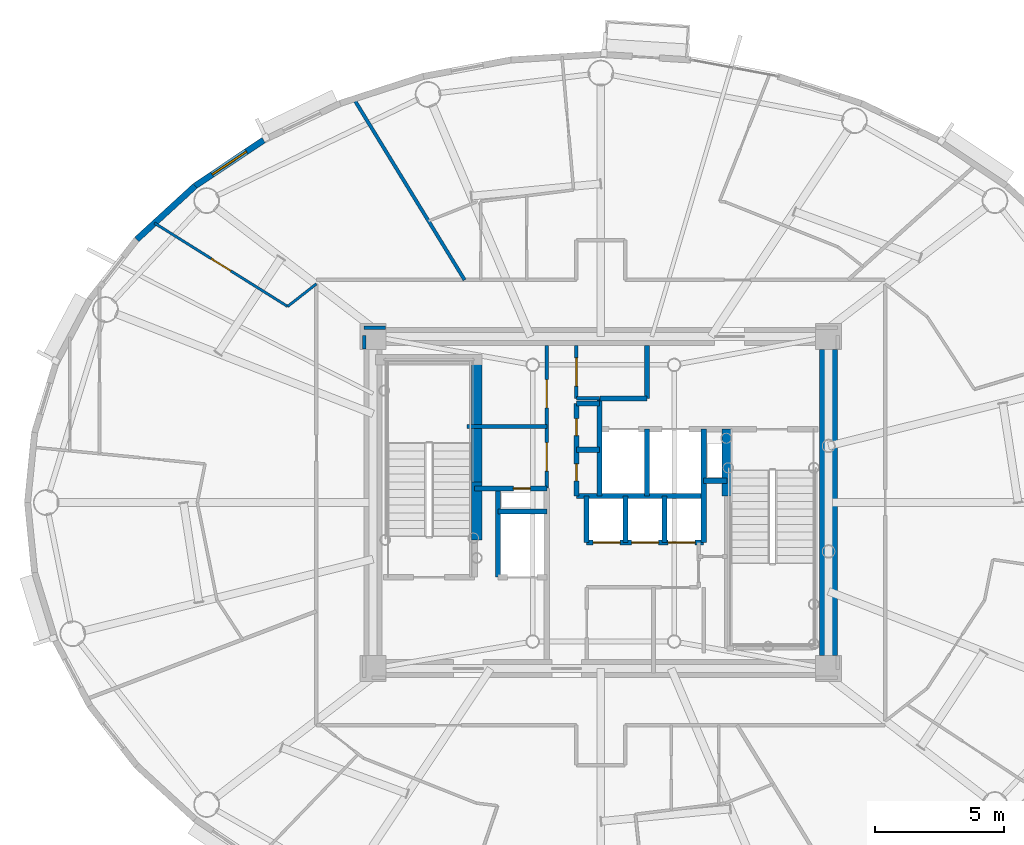
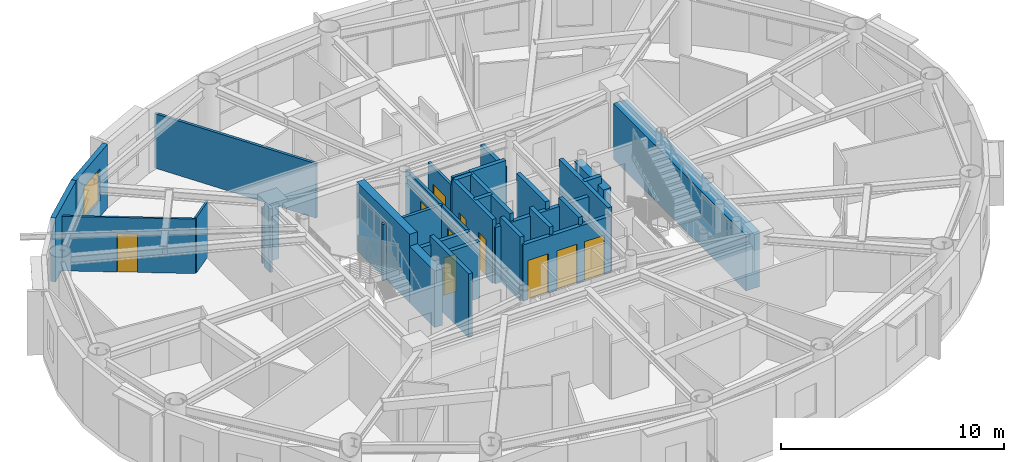
# One storey, part 9 of 20: 32 walls, 10 doors, 1 window, 11 openings.
"""IFC4 building model written with IfcOpenShell, lengths in metres."""

from ifc_helpers import new_model, si_unit, direction, frame, frame_2d, origin, origin_2d, place, context, subcontext, project, spatial, rectangle, extrude, source, transform, mapped, material, layer, layer_set, type_object, element, fill, save


model = new_model("IFC4")

# Units and contexts
model_context = context("Model", 3, precision=1e-05, world=origin(), true_north=direction((0.0, 1.0)))
body_context = subcontext(model_context, "Body", "Model", "MODEL_VIEW")
ifc_project = project(units=[si_unit("LENGTHUNIT", "METRE"), si_unit("AREAUNIT", "SQUARE_METRE"), si_unit("VOLUMEUNIT", "CUBIC_METRE"), si_unit("PLANEANGLEUNIT", "RADIAN"), si_unit("MASSUNIT", "GRAM", prefix="KILO")], contexts=[model_context])

# Site, building, storey
site_placement = place(None, origin())
site = spatial("IfcSite", under=ifc_project, at=site_placement, CompositionType="ELEMENT")
building_placement = place(site_placement, origin())
building = spatial("IfcBuilding", under=site, at=building_placement, Name="Linh Dai School and Residence Tower", CompositionType="ELEMENT")
storey_placement = place(building_placement, frame((0.0, 0.0, 288.0)))
storey = spatial("IfcBuildingStorey", under=building, at=storey_placement, Name="L71", CompositionType="ELEMENT", Elevation=288.0)

# Wall, opening, window
ifc_material_1 = material(Name="Precast Concrete B45 (C35/45)", Category="concrete")
ifc_layer_1 = layer(ifc_material_1, 0.239990234375)
ifc_layer_set_1 = layer_set([ifc_layer_1], Name="Precast Concrete B45 (C35/45)")
wall_type_1 = type_object("IfcWallType", Name="EW-TC-240", PredefinedType="SOLIDWALL", material=ifc_layer_set_1)
wall_1_placement = place(storey_placement, frame((20.23779296875, 39.30419921875, 0.0), z_axis=(0.0, 0.0, 1.0), x_axis=(0.831250592635, 0.55589787933, 0.0)))
wall_1 = element("IfcWall", 1, at=wall_1_placement, inside=storey, type_object=wall_type_1, Name="L71 Terracotta Exterior Wall 15", PredefinedType="SOLIDWALL", context=body_context, shape_type="SweptSolid", body=[
    extrude(rectangle(XDim=3.197265625, YDim=0.239990234375, at=frame_2d((1.5986328125, 0.0))), origin(), (0.0, 0.0, 1.0), 3.5),
])
opening_1_placement = place(wall_1_placement, frame((0.798583984375, 0.0, 0.89990234375)))
opening_1 = element("IfcOpeningElement", 2, at=opening_1_placement, cuts=wall_1, Name="Opening W2", PredefinedType="OPENING", context=body_context, shape_type="SweptSolid", body=[
    extrude(rectangle(XDim=1.60009765625, YDim=1.75, at=origin_2d()), frame((0.800048828125, 0.1298828125, 0.875), z_axis=(0.0, -1.0, 0.0), x_axis=(1.0, 0.0, 0.0)), (0.0, 0.0, 1.0), 0.260009765625),
])
ifc_material_2 = material(Name="Double Low-E Insulated Glazing", Category="glass")
window_type = type_object("IfcWindowType", Name="WN-RES-1600x1750", PartitioningType="DOUBLE_PANEL_VERTICAL", PredefinedType="WINDOW", material=ifc_material_2)
shared_shape_1 = source(origin(), body_context, "Body", "SweptSolid", [
    extrude(rectangle(XDim=1.60009765625, YDim=1.75, at=origin_2d()), frame((0.800048828125, 0.030029296875, 0.875), z_axis=(0.0, -1.0, 0.0), x_axis=(1.0, 0.0, 0.0)), (0.0, 0.0, 1.0), 0.06005859375),
])
window_placement = place(opening_1_placement, origin())
window = element("IfcWindow", 3, at=window_placement, inside=storey, type_object=window_type, Name="L71 Exterior Window 15.1", OverallHeight=1.75, OverallWidth=1.60009765625, PartitioningType="DOUBLE_PANEL_VERTICAL", PredefinedType="WINDOW", context=body_context, shape_type="MappedRepresentation", body=[
    mapped(shared_shape_1, transform((0.0, 0.0, 0.0), x_axis=(1.0, 0.0, 0.0), y_axis=(0.0, 1.0, 0.0), z_axis=(0.0, 0.0, 1.0), scale=1.0)),
])
fill(opening_1, window)

# Walls
wall_2_placement = place(storey_placement, frame((17.9697265625, 37.224609375, 0.0), z_axis=(0.0, 0.0, 1.0), x_axis=(0.737068506972, 0.675818034703, 0.0)))
element("IfcWall", 4, at=wall_2_placement, inside=storey, type_object=wall_type_1, Name="L71 Terracotta Exterior Wall 16", PredefinedType="SOLIDWALL", context=body_context, shape_type="SweptSolid", body=[
    extrude(rectangle(XDim=3.0771484375, YDim=0.239990234375, at=frame_2d((1.53857421875, 0.0))), origin(), (0.0, 0.0, 1.0), 3.5),
])
ifc_material_3 = material(Name="Autoclaved Aerated Concrete Blockwork", Category="masonry")
ifc_layer_2 = layer(ifc_material_3, 0.135009765625)
ifc_layer_set_2 = layer_set([ifc_layer_2], Name="Autoclaved Aerated Concrete Blockwork")
wall_type_2 = type_object("IfcWallType", Name="IW-CORR-135-EI90", PredefinedType="PARTITIONING", material=ifc_layer_set_2)
wall_3_placement = place(storey_placement, frame((26.40185546875, 42.687744140625, 0.0), z_axis=(0.0, 0.0, 1.0), x_axis=(0.521891606098, -0.853011812043, 0.0)))
element("IfcWall", 5, at=wall_3_placement, inside=storey, type_object=wall_type_2, Name="L71 Interior Partition Wall 015", PredefinedType="PARTITIONING", context=body_context, shape_type="SweptSolid", body=[
    extrude(rectangle(XDim=8.25048828125, YDim=0.135009765625, at=frame_2d((4.125244140625, 0.0))), origin(), (0.0, 0.0, 1.0), 2.985107421875),
])

# Wall, openings, doors
wall_4_placement = place(storey_placement, frame((33.89990234375, 27.56005859375, 0.0), z_axis=(0.0, 0.0, 1.0), x_axis=(0.0, 1.0, 0.0)))
wall_4 = element("IfcWall", 6, at=wall_4_placement, inside=storey, type_object=wall_type_2, Name="L71 Interior Partition Wall 031", PredefinedType="PARTITIONING", context=body_context, shape_type="SweptSolid", body=[
    extrude(rectangle(XDim=5.5400390625, YDim=0.135009765625, at=frame_2d((2.77001953125, 0.0))), origin(), (0.0, 0.0, 1.0), 3.0849609375),
])
opening_2_placement = place(wall_4_placement, frame((0.6650390625, 0.0, 0.0)))
opening_2 = element("IfcOpeningElement", 7, at=opening_2_placement, cuts=wall_4, Name="Opening D07", PredefinedType="OPENING", context=body_context, shape_type="SweptSolid", body=[
    extrude(rectangle(XDim=1.10009765625, YDim=2.14990234375, at=origin_2d()), frame((0.550048828125, 0.07763671875, 1.074951171875), z_axis=(0.0, -1.0, 0.0), x_axis=(1.0, 0.0, 0.0)), (0.0, 0.0, 1.0), 0.155029296875),
])
opening_3_placement = place(wall_4_placement, frame((3.117431640625, 0.0, 0.0)))
opening_3 = element("IfcOpeningElement", 8, at=opening_3_placement, cuts=wall_4, Name="Opening D07", PredefinedType="OPENING", context=body_context, shape_type="SweptSolid", body=[
    extrude(rectangle(XDim=1.10009765625, YDim=2.14990234375, at=origin_2d()), frame((0.550048828125, 0.07763671875, 1.074951171875), z_axis=(0.0, -1.0, 0.0), x_axis=(1.0, 0.0, 0.0)), (0.0, 0.0, 1.0), 0.155029296875),
])
ifc_material_4 = material(Name="Fire-Rated Louvred Steel Plant Door", Category="steel")
door_type_1 = type_object("IfcDoorType", Name="DR-PLT-1100x2150-FD60S", OperationType="NOTDEFINED", PredefinedType="DOOR", material=ifc_material_4)
shared_shape_2 = source(origin(), body_context, "Body", "SweptSolid", [
    extrude(rectangle(XDim=1.10009765625, YDim=2.14990234375, at=origin_2d()), frame((0.550048828125, 0.02490234375, 1.074951171875), z_axis=(0.0, -1.0, 0.0), x_axis=(1.0, 0.0, 0.0)), (0.0, 0.0, 1.0), 0.050048828125),
])
door_1_placement = place(opening_2_placement, origin())
door_1 = element("IfcDoor", 9, at=door_1_placement, inside=storey, type_object=door_type_1, Name="L71 BMS and Data Room Door", OperationType="SINGLE_SWING_LEFT", OverallHeight=2.14990234375, OverallWidth=1.10009765625, PredefinedType="DOOR", context=body_context, shape_type="MappedRepresentation", body=[
    mapped(shared_shape_2, transform((0.0, 0.0, 0.0), x_axis=(1.0, 0.0, 0.0), y_axis=(0.0, 1.0, 0.0), z_axis=(0.0, 0.0, 1.0), scale=1.0)),
])
fill(opening_2, door_1)
door_2_placement = place(opening_3_placement, origin())
door_2 = element("IfcDoor", 10, at=door_2_placement, inside=storey, type_object=door_type_1, Name="L71 Housekeeping Linen Room Door", OperationType="SINGLE_SWING_RIGHT", OverallHeight=2.14990234375, OverallWidth=1.10009765625, PredefinedType="DOOR", context=body_context, shape_type="MappedRepresentation", body=[
    mapped(shared_shape_2, transform((0.0, 0.0, 0.0), x_axis=(1.0, 0.0, 0.0), y_axis=(0.0, 1.0, 0.0), z_axis=(0.0, 0.0, 1.0), scale=1.0)),
])
fill(opening_3, door_2)

# Wall, opening, door
wall_5_placement = place(storey_placement, frame((35.050048828125, 31.050048828125, 0.0), z_axis=(0.0, 0.0, 1.0), x_axis=(0.0, 1.0, 0.0)))
wall_5 = element("IfcWall", 11, at=wall_5_placement, inside=storey, type_object=wall_type_2, Name="L71 Interior Partition Wall 039", PredefinedType="PARTITIONING", context=body_context, shape_type="SweptSolid", body=[
    extrude(rectangle(XDim=2.050048828125, YDim=0.135009765625, at=frame_2d((1.02490234375, 0.0))), origin(), (0.0, 0.0, 1.0), 3.0849609375),
])
opening_4_placement = place(wall_5_placement, frame((0.47509765625, 0.0, 0.0)))
opening_4 = element("IfcOpeningElement", 12, at=opening_4_placement, cuts=wall_5, Name="Opening D07", PredefinedType="OPENING", context=body_context, shape_type="SweptSolid", body=[
    extrude(rectangle(XDim=1.10009765625, YDim=2.14990234375, at=origin_2d()), frame((0.550048828125, 0.07763671875, 1.074951171875), z_axis=(0.0, -1.0, 0.0), x_axis=(1.0, 0.0, 0.0)), (0.0, 0.0, 1.0), 0.155029296875),
])
door_3_placement = place(opening_4_placement, origin())
door_3 = element("IfcDoor", 13, at=door_3_placement, inside=storey, type_object=door_type_1, Name="L71 North Telecom Switchroom Door", OperationType="SINGLE_SWING_LEFT", OverallHeight=2.14990234375, OverallWidth=1.10009765625, PredefinedType="DOOR", context=body_context, shape_type="MappedRepresentation", body=[
    mapped(shared_shape_2, transform((0.0, 0.0, 0.0), x_axis=(1.0, 0.0, 0.0), y_axis=(0.0, 1.0, 0.0), z_axis=(0.0, 0.0, 1.0), scale=1.0)),
])
fill(opening_4, door_3)

# Walls
wall_6_placement = place(storey_placement, frame((35.050048828125, 31.050048828125, 0.0), z_axis=(0.0, 0.0, 1.0), x_axis=(1.0, 0.0, 0.0)))
element("IfcWall", 14, at=wall_6_placement, inside=storey, type_object=wall_type_2, Name="L71 Interior Partition Wall 040", PredefinedType="PARTITIONING", context=body_context, shape_type="SweptSolid", body=[
    extrude(rectangle(XDim=0.89990234375, YDim=0.135009765625, at=frame_2d((0.449951171875, 0.0))), origin(), (0.0, 0.0, 1.0), 3.5),
])
wall_7_placement = place(storey_placement, frame((27.639892578125, 33.800048828125, 0.0), z_axis=(0.0, 0.0, 1.0), x_axis=(-1.0, 0.0, 0.0)))
element("IfcWall", 15, at=wall_7_placement, inside=storey, type_object=wall_type_2, Name="L71 Interior Partition Wall 090", PredefinedType="PARTITIONING", context=body_context, shape_type="SweptSolid", body=[
    extrude(rectangle(XDim=0.83984375, YDim=0.135009765625, at=frame_2d((0.419921875, 0.0))), origin(), (0.0, 0.0, 1.0), 3.034912109375),
])
wall_8_placement = place(storey_placement, frame((26.800048828125, 33.492431640625, 0.0), z_axis=(0.0, 0.0, 1.0), x_axis=(0.0, -1.0, 0.0)))
element("IfcWall", 16, at=wall_8_placement, inside=storey, type_object=wall_type_2, Name="L71 Interior Partition Wall 091", PredefinedType="PARTITIONING", context=body_context, shape_type="SweptSolid", body=[
    extrude(rectangle(XDim=0.532470703125, YDim=0.135009765625, at=frame_2d((0.26611328125, 0.0))), origin(), (0.0, 0.0, 1.0), 3.5),
])
ifc_layer_3 = layer(ifc_material_3, 0.14990234375)
ifc_layer_set_3 = layer_set([ifc_layer_3], Name="Autoclaved Aerated Concrete Blockwork")
wall_type_3 = type_object("IfcWallType", Name="IW-SCH-150-EI60", PredefinedType="PARTITIONING", material=ifc_layer_set_3)
wall_9_placement = place(storey_placement, frame((30.800048828125, 29.949951171875, 0.0), z_axis=(0.0, 0.0, 1.0), x_axis=(1.0, 0.0, 0.0)))
element("IfcWall", 17, at=wall_9_placement, inside=storey, type_object=wall_type_3, Name="L71 Interior Partition Wall 020", PredefinedType="PARTITIONING", context=body_context, shape_type="SweptSolid", body=[
    extrude(rectangle(XDim=3.099853515625, YDim=0.14990234375, at=frame_2d((1.5498046875, 0.0))), origin(), (0.0, 0.0, 1.0), 3.0849609375),
])

# Wall, opening, door
ifc_material_5 = material(Name="Concrete B45 (C35/45)", Category="concrete")
ifc_layer_4 = layer(ifc_material_5, 0.199951171875)
ifc_layer_set_4 = layer_set([ifc_layer_4], Name="Concrete B45 (C35/45)")
wall_type_4 = type_object("IfcWallType", Name="IW-SHAFT-200-EI120", PredefinedType="PARTITIONING", material=ifc_layer_set_4)
wall_10_placement = place(storey_placement, frame((31.10009765625, 27.550048828125, 0.0), z_axis=(0.0, 0.0, 1.0), x_axis=(1.0, 0.0, 0.0)))
wall_10 = element("IfcWall", 18, at=wall_10_placement, inside=storey, type_object=wall_type_4, Name="L71 Interior Partition Wall 022", PredefinedType="PARTITIONING", context=body_context, shape_type="SweptSolid", body=[
    extrude(rectangle(XDim=2.7998046875, YDim=0.199951171875, at=frame_2d((1.39990234375, 0.0))), origin(), (0.0, 0.0, 1.0), 3.0849609375),
])
opening_5_placement = place(wall_10_placement, frame((1.5, 0.0, 0.0)))
opening_5 = element("IfcOpeningElement", 19, at=opening_5_placement, cuts=wall_10, Name="Opening AD1", PredefinedType="OPENING", context=body_context, shape_type="SweptSolid", body=[
    extrude(rectangle(XDim=0.659912109375, YDim=2.050048828125, at=origin_2d()), frame((0.330078125, 0.10986328125, 1.02490234375), z_axis=(0.0, -1.0, 0.0), x_axis=(1.0, 0.0, 0.0)), (0.0, 0.0, 1.0), 0.219970703125),
])
ifc_material_6 = material(Name="Fire-Rated Steel Riser Access Door", Category="steel")
door_type_2 = type_object("IfcDoorType", Name="DR-ACC-660x2050-FD90S", OperationType="NOTDEFINED", PredefinedType="USERDEFINED", material=ifc_material_6)
shared_shape_3 = source(origin(), body_context, "Body", "SweptSolid", [
    extrude(rectangle(XDim=0.659912109375, YDim=2.050048828125, at=origin_2d()), frame((0.330078125, 0.02490234375, 1.02490234375), z_axis=(0.0, -1.0, 0.0), x_axis=(1.0, 0.0, 0.0)), (0.0, 0.0, 1.0), 0.050048828125),
])
door_4_placement = place(opening_5_placement, origin())
door_4 = element("IfcDoor", 20, at=door_4_placement, inside=storey, type_object=door_type_2, Name="L71 Main Electrical Riser Access Door", ObjectType="ACCESS DOOR", OperationType="SINGLE_SWING_RIGHT", OverallHeight=2.050048828125, OverallWidth=0.659912109375, PredefinedType="USERDEFINED", context=body_context, shape_type="MappedRepresentation", body=[
    mapped(shared_shape_3, transform((0.0, 0.0, 0.0), x_axis=(1.0, 0.0, 0.0), y_axis=(0.0, 1.0, 0.0), z_axis=(0.0, 0.0, 1.0), scale=1.0)),
])
fill(opening_5, door_4)

# Walls
wall_11_placement = place(storey_placement, frame((32.0, 24.10009765625, 0.0), z_axis=(0.0, 0.0, 1.0), x_axis=(0.0, 1.0, 0.0)))
element("IfcWall", 21, at=wall_11_placement, inside=storey, type_object=wall_type_4, Name="L71 Interior Partition Wall 026", PredefinedType="PARTITIONING", context=body_context, shape_type="SweptSolid", body=[
    extrude(rectangle(XDim=3.449951171875, YDim=0.199951171875, at=frame_2d((1.72509765625, 0.0))), origin(), (0.0, 0.0, 1.0), 3.5),
])
wall_12_placement = place(storey_placement, frame((32.0, 26.64990234375, 0.0), z_axis=(0.0, 0.0, 1.0), x_axis=(1.0, 0.0, 0.0)))
element("IfcWall", 22, at=wall_12_placement, inside=storey, type_object=wall_type_4, Name="L71 Interior Partition Wall 028", PredefinedType="PARTITIONING", context=body_context, shape_type="SweptSolid", body=[
    extrude(rectangle(XDim=1.89990234375, YDim=0.199951171875, at=frame_2d((0.949951171875, 0.0))), origin(), (0.0, 0.0, 1.0), 3.0849609375),
])

# Wall, openings, doors
wall_13_placement = place(storey_placement, frame((35.050048828125, 27.25, 0.0), z_axis=(0.0, 0.0, 1.0), x_axis=(0.0, 1.0, 0.0)))
wall_13 = element("IfcWall", 23, at=wall_13_placement, inside=storey, type_object=wall_type_4, Name="L71 Interior Partition Wall 035", PredefinedType="PARTITIONING", context=body_context, shape_type="SweptSolid", body=[
    extrude(rectangle(XDim=3.60009765625, YDim=0.199951171875, at=frame_2d((1.800048828125, 0.0))), origin(), (0.0, 0.0, 1.0), 3.5),
])
opening_6_placement = place(wall_13_placement, frame((0.590087890625, 0.0, 0.0)))
opening_6 = element("IfcOpeningElement", 24, at=opening_6_placement, cuts=wall_13, Name="Opening AD1", PredefinedType="OPENING", context=body_context, shape_type="SweptSolid", body=[
    extrude(rectangle(XDim=0.659912109375, YDim=2.050048828125, at=origin_2d()), frame((0.330078125, 0.10986328125, 1.02490234375), z_axis=(0.0, -1.0, 0.0), x_axis=(1.0, 0.0, 0.0)), (0.0, 0.0, 1.0), 0.219970703125),
])
opening_7_placement = place(wall_13_placement, frame((2.35009765625, 0.0, 0.0)))
opening_7 = element("IfcOpeningElement", 25, at=opening_7_placement, cuts=wall_13, Name="Opening AD1", PredefinedType="OPENING", context=body_context, shape_type="SweptSolid", body=[
    extrude(rectangle(XDim=0.659912109375, YDim=2.050048828125, at=origin_2d()), frame((0.330078125, 0.10986328125, 1.02490234375), z_axis=(0.0, -1.0, 0.0), x_axis=(1.0, 0.0, 0.0)), (0.0, 0.0, 1.0), 0.219970703125),
])
door_5_placement = place(opening_6_placement, origin())
door_5 = element("IfcDoor", 26, at=door_5_placement, inside=storey, type_object=door_type_2, Name="L71 Telecom and Data Riser Access Door", ObjectType="ACCESS DOOR", OperationType="SINGLE_SWING_LEFT", OverallHeight=2.050048828125, OverallWidth=0.659912109375, PredefinedType="USERDEFINED", context=body_context, shape_type="MappedRepresentation", body=[
    mapped(shared_shape_3, transform((0.0, 0.0, 0.0), x_axis=(1.0, 0.0, 0.0), y_axis=(0.0, 1.0, 0.0), z_axis=(0.0, 0.0, 1.0), scale=1.0)),
])
fill(opening_6, door_5)
door_6_placement = place(opening_7_placement, origin())
door_6 = element("IfcDoor", 27, at=door_6_placement, inside=storey, type_object=door_type_2, Name="L71 Mechanical and Plumbing Riser Access Door", ObjectType="ACCESS DOOR", OperationType="SINGLE_SWING_RIGHT", OverallHeight=2.050048828125, OverallWidth=0.659912109375, PredefinedType="USERDEFINED", context=body_context, shape_type="MappedRepresentation", body=[
    mapped(shared_shape_3, transform((0.0, 0.0, 0.0), x_axis=(1.0, 0.0, 0.0), y_axis=(0.0, 1.0, 0.0), z_axis=(0.0, 0.0, 1.0), scale=1.0)),
])
fill(opening_7, door_6)

# Walls
wall_14_placement = place(storey_placement, frame((35.050048828125, 27.25, 0.0), z_axis=(0.0, 0.0, 1.0), x_axis=(1.0, 0.0, 0.0)))
element("IfcWall", 28, at=wall_14_placement, inside=storey, type_object=wall_type_4, Name="L71 Interior Partition Wall 036", PredefinedType="PARTITIONING", context=body_context, shape_type="SweptSolid", body=[
    extrude(rectangle(XDim=4.949951171875, YDim=0.199951171875, at=frame_2d((2.47509765625, 0.0))), origin(), (0.0, 0.0, 1.0), 3.0849609375),
])
for number, where, z_axis, x_axis, name in (
    (29, (35.050048828125, 29.050048828125, 0.0), (0.0, 0.0, 1.0), (1.0, 0.0, 0.0), "L71 Interior Partition Wall 037"),
    (30, (35.050048828125, 30.85009765625, 0.0), (0.0, 0.0, 1.0), (1.0, 0.0, 0.0), "L71 Interior Partition Wall 038"),
):
    element("IfcWall", number, at=place(storey_placement, frame(where, z_axis=z_axis, x_axis=x_axis)), inside=storey, type_object=wall_type_4, Name=name, PredefinedType="PARTITIONING", context=body_context, shape_type="SweptSolid", body=[
        extrude(rectangle(XDim=0.89990234375, YDim=0.199951171875, at=frame_2d((0.449951171875, 0.0))), origin(), (0.0, 0.0, 1.0), 3.5),
    ])
wall_15_placement = place(storey_placement, frame((35.449951171875, 25.449951171875, 0.0), z_axis=(0.0, 0.0, 1.0), x_axis=(0.0, 1.0, 0.0)))
element("IfcWall", 31, at=wall_15_placement, inside=storey, type_object=wall_type_4, Name="L71 Interior Partition Wall 045", PredefinedType="PARTITIONING", context=body_context, shape_type="SweptSolid", body=[
    extrude(rectangle(XDim=1.800048828125, YDim=0.199951171875, at=frame_2d((0.89990234375, 0.0))), origin(), (0.0, 0.0, 1.0), 3.5),
])

# Wall, openings, doors
wall_16_placement = place(storey_placement, frame((35.449951171875, 25.449951171875, 0.0), z_axis=(0.0, 0.0, 1.0), x_axis=(1.0, 0.0, 0.0)))
wall_16 = element("IfcWall", 32, at=wall_16_placement, inside=storey, type_object=wall_type_4, Name="L71 Interior Partition Wall 046", PredefinedType="PARTITIONING", context=body_context, shape_type="SweptSolid", body=[
    extrude(rectangle(XDim=4.550048828125, YDim=0.199951171875, at=frame_2d((2.27490234375, 0.0))), origin(), (0.0, 0.0, 1.0), 3.0849609375),
])
opening_8_placement = place(wall_16_placement, frame((0.25, 0.0, 0.0)))
opening_8 = element("IfcOpeningElement", 33, at=opening_8_placement, cuts=wall_16, Name="Opening LD-PL7", PredefinedType="OPENING", context=body_context, shape_type="SweptSolid", body=[
    extrude(rectangle(XDim=1.050048828125, YDim=2.14990234375, at=origin_2d()), frame((0.52490234375, 0.10986328125, 1.074951171875), z_axis=(0.0, -1.0, 0.0), x_axis=(1.0, 0.0, 0.0)), (0.0, 0.0, 1.0), 0.219970703125),
])
opening_9_placement = place(wall_16_placement, frame((1.7451171875, 0.0, 0.0)))
opening_9 = element("IfcOpeningElement", 34, at=opening_9_placement, cuts=wall_16, Name="Opening LD-PL8", PredefinedType="OPENING", context=body_context, shape_type="SweptSolid", body=[
    extrude(rectangle(XDim=1.050048828125, YDim=2.14990234375, at=origin_2d()), frame((0.52490234375, 0.10986328125, 1.074951171875), z_axis=(0.0, -1.0, 0.0), x_axis=(1.0, 0.0, 0.0)), (0.0, 0.0, 1.0), 0.219970703125),
])
opening_10_placement = place(wall_16_placement, frame((3.1650390625, 0.0, 0.0)))
opening_10 = element("IfcOpeningElement", 35, at=opening_10_placement, cuts=wall_16, Name="Opening LD-PL9", PredefinedType="OPENING", context=body_context, shape_type="SweptSolid", body=[
    extrude(rectangle(XDim=1.050048828125, YDim=2.14990234375, at=origin_2d()), frame((0.52490234375, 0.10986328125, 1.074951171875), z_axis=(0.0, -1.0, 0.0), x_axis=(1.0, 0.0, 0.0)), (0.0, 0.0, 1.0), 0.219970703125),
])
ifc_material_7 = material(Name="Brushed Stainless Steel Lift Landing Door", Category="steel")
door_type_3 = type_object("IfcDoorType", Name="DR-LD-PASS-1050x2150", OperationType="DOUBLE_DOOR_SLIDING", PredefinedType="USERDEFINED", material=ifc_material_7)
shared_shape_4 = source(origin(), body_context, "Body", "SweptSolid", [
    extrude(rectangle(XDim=1.050048828125, YDim=2.14990234375, at=origin_2d()), frame((0.52490234375, 0.02490234375, 1.074951171875), z_axis=(0.0, -1.0, 0.0), x_axis=(1.0, 0.0, 0.0)), (0.0, 0.0, 1.0), 0.050048828125),
])
door_7_placement = place(opening_8_placement, origin())
door_7 = element("IfcDoor", 36, at=door_7_placement, inside=storey, type_object=door_type_3, Name="L71 Lift PL7 Sliding Landing Door", ObjectType="LANDING DOOR", OperationType="DOUBLE_DOOR_SLIDING", OverallHeight=2.14990234375, OverallWidth=1.050048828125, PredefinedType="USERDEFINED", context=body_context, shape_type="MappedRepresentation", body=[
    mapped(shared_shape_4, transform((0.0, 0.0, 0.0), x_axis=(1.0, 0.0, 0.0), y_axis=(0.0, 1.0, 0.0), z_axis=(0.0, 0.0, 1.0), scale=1.0)),
])
fill(opening_8, door_7)
door_8_placement = place(opening_9_placement, origin())
door_8 = element("IfcDoor", 37, at=door_8_placement, inside=storey, type_object=door_type_3, Name="L71 Lift PL8 Sliding Landing Door", ObjectType="LANDING DOOR", OperationType="DOUBLE_DOOR_SLIDING", OverallHeight=2.14990234375, OverallWidth=1.050048828125, PredefinedType="USERDEFINED", context=body_context, shape_type="MappedRepresentation", body=[
    mapped(shared_shape_4, transform((0.0, 0.0, 0.0), x_axis=(1.0, 0.0, 0.0), y_axis=(0.0, 1.0, 0.0), z_axis=(0.0, 0.0, 1.0), scale=1.0)),
])
fill(opening_9, door_8)
door_9_placement = place(opening_10_placement, origin())
door_9 = element("IfcDoor", 38, at=door_9_placement, inside=storey, type_object=door_type_3, Name="L71 Lift PL9 Sliding Landing Door", ObjectType="LANDING DOOR", OperationType="DOUBLE_DOOR_SLIDING", OverallHeight=2.14990234375, OverallWidth=1.050048828125, PredefinedType="USERDEFINED", context=body_context, shape_type="MappedRepresentation", body=[
    mapped(shared_shape_4, transform((0.0, 0.0, 0.0), x_axis=(1.0, 0.0, 0.0), y_axis=(0.0, 1.0, 0.0), z_axis=(0.0, 0.0, 1.0), scale=1.0)),
])
fill(opening_10, door_9)

# Walls
wall_17_placement = place(storey_placement, frame((35.949951171875, 27.25, 0.0), z_axis=(0.0, 0.0, 1.0), x_axis=(0.0, 1.0, 0.0)))
element("IfcWall", 39, at=wall_17_placement, inside=storey, type_object=wall_type_4, Name="L71 Interior Partition Wall 047", PredefinedType="PARTITIONING", context=body_context, shape_type="SweptSolid", body=[
    extrude(rectangle(XDim=3.800048828125, YDim=0.199951171875, at=frame_2d((1.89990234375, 0.0))), origin(), (0.0, 0.0, 1.0), 3.5),
])
wall_18_placement = place(storey_placement, frame((35.9599609375, 31.050048828125, 0.0), z_axis=(0.0, 0.0, 1.0), x_axis=(1.0, 0.0, 0.0)))
element("IfcWall", 40, at=wall_18_placement, inside=storey, type_object=wall_type_4, Name="L71 Interior Partition Wall 049", PredefinedType="PARTITIONING", context=body_context, shape_type="SweptSolid", body=[
    extrude(rectangle(XDim=1.840087890625, YDim=0.199951171875, at=frame_2d((0.919921875, 0.0))), origin(), (0.0, 0.0, 1.0), 3.5),
])
wall_19_placement = place(storey_placement, frame((36.9599609375, 25.449951171875, 0.0), z_axis=(0.0, 0.0, 1.0), x_axis=(0.0, 1.0, 0.0)))
element("IfcWall", 41, at=wall_19_placement, inside=storey, type_object=wall_type_4, Name="L71 Interior Partition Wall 054", PredefinedType="PARTITIONING", context=body_context, shape_type="SweptSolid", body=[
    extrude(rectangle(XDim=1.800048828125, YDim=0.199951171875, at=frame_2d((0.89990234375, 0.0))), origin(), (0.0, 0.0, 1.0), 3.5),
])
wall_20_placement = place(storey_placement, frame((37.800048828125, 27.25, 0.0), z_axis=(0.0, 0.0, 1.0), x_axis=(0.0, 1.0, 0.0)))
element("IfcWall", 42, at=wall_20_placement, inside=storey, type_object=wall_type_4, Name="L71 Interior Partition Wall 057", PredefinedType="PARTITIONING", context=body_context, shape_type="SweptSolid", body=[
    extrude(rectangle(XDim=2.60009765625, YDim=0.199951171875, at=frame_2d((1.300048828125, 0.0))), origin(), (0.0, 0.0, 1.0), 3.5),
])
wall_21_placement = place(storey_placement, frame((37.800048828125, 31.050048828125, 0.0), z_axis=(0.0, 0.0, 1.0), x_axis=(0.0, 1.0, 0.0)))
element("IfcWall", 43, at=wall_21_placement, inside=storey, type_object=wall_type_4, Name="L71 Interior Partition Wall 058", PredefinedType="PARTITIONING", context=body_context, shape_type="SweptSolid", body=[
    extrude(rectangle(XDim=2.050048828125, YDim=0.199951171875, at=frame_2d((1.02490234375, 0.0))), origin(), (0.0, 0.0, 1.0), 3.0849609375),
])
wall_22_placement = place(storey_placement, frame((38.47998046875, 25.449951171875, 0.0), z_axis=(0.0, 0.0, 1.0), x_axis=(0.0, 1.0, 0.0)))
element("IfcWall", 44, at=wall_22_placement, inside=storey, type_object=wall_type_4, Name="L71 Interior Partition Wall 060", PredefinedType="PARTITIONING", context=body_context, shape_type="SweptSolid", body=[
    extrude(rectangle(XDim=1.800048828125, YDim=0.199951171875, at=frame_2d((0.89990234375, 0.0))), origin(), (0.0, 0.0, 1.0), 3.5),
])
wall_23_placement = place(storey_placement, frame((40.0, 25.449951171875, 0.0), z_axis=(0.0, 0.0, 1.0), x_axis=(0.0, 1.0, 0.0)))
element("IfcWall", 45, at=wall_23_placement, inside=storey, type_object=wall_type_4, Name="L71 Interior Partition Wall 064", PredefinedType="PARTITIONING", context=body_context, shape_type="SweptSolid", body=[
    extrude(rectangle(XDim=4.400146484375, YDim=0.199951171875, at=frame_2d((2.2001953125, 0.0))), origin(), (0.0, 0.0, 1.0), 3.5),
])
wall_24_placement = place(storey_placement, frame((40.0, 27.85009765625, 0.0), z_axis=(0.0, 0.0, 1.0), x_axis=(1.0, 0.0, 0.0)))
element("IfcWall", 46, at=wall_24_placement, inside=storey, type_object=wall_type_4, Name="L71 Interior Partition Wall 065", PredefinedType="PARTITIONING", context=body_context, shape_type="SweptSolid", body=[
    extrude(rectangle(XDim=0.89990234375, YDim=0.199951171875, at=frame_2d((0.449951171875, 0.0))), origin(), (0.0, 0.0, 1.0), 3.5),
])

# Wall, opening, door
ifc_material_8 = material(Name="Gypsum Plasterboard Acoustic Stud Partition", Category="masonry")
ifc_layer_5 = layer(ifc_material_8, 0.10009765625)
ifc_layer_set_5 = layer_set([ifc_layer_5], Name="Gypsum Plasterboard Acoustic Stud Partition")
wall_type_5 = type_object("IfcWallType", Name="IW-UNIT-100", PredefinedType="PARTITIONING", material=ifc_layer_set_5)
wall_25_placement = place(storey_placement, frame((18.65576171875, 37.860595703125, 0.0), z_axis=(0.0, 0.0, 1.0), x_axis=(0.847553170054, -0.530710489751, 0.0)))
wall_25 = element("IfcWall", 47, at=wall_25_placement, inside=storey, type_object=wall_type_5, Name="L71 Interior Partition Wall 005", PredefinedType="PARTITIONING", context=body_context, shape_type="SweptSolid", body=[
    extrude(rectangle(XDim=6.10498046875, YDim=0.10009765625, at=frame_2d((3.052490234375, 0.0))), origin(), (0.0, 0.0, 1.0), 2.985107421875),
])
opening_11_placement = place(wall_25_placement, frame((2.6025390625, 0.0, 0.0)))
opening_11 = element("IfcOpeningElement", 48, at=opening_11_placement, cuts=wall_25, Name="Opening D05", PredefinedType="OPENING", context=body_context, shape_type="SweptSolid", body=[
    extrude(rectangle(XDim=0.89990234375, YDim=2.10009765625, at=origin_2d()), frame((0.449951171875, 0.06005859375, 1.050048828125), z_axis=(0.0, -1.0, 0.0), x_axis=(1.0, 0.0, 0.0)), (0.0, 0.0, 1.0), 0.1201171875),
])
ifc_material_9 = material(Name="Engineered Timber Internal Door", Category="wood")
door_type_4 = type_object("IfcDoorType", Name="DR-INT-900x2100", OperationType="NOTDEFINED", PredefinedType="DOOR", material=ifc_material_9)
shared_shape_5 = source(origin(), body_context, "Body", "SweptSolid", [
    extrude(rectangle(XDim=0.89990234375, YDim=2.10009765625, at=origin_2d()), frame((0.449951171875, 0.02490234375, 1.050048828125), z_axis=(0.0, -1.0, 0.0), x_axis=(1.0, 0.0, 0.0)), (0.0, 0.0, 1.0), 0.050048828125),
])
door_10_placement = place(opening_11_placement, origin())
door_10 = element("IfcDoor", 49, at=door_10_placement, inside=storey, type_object=door_type_4, Name="L71 Apartment U7102 Principal Bedroom 1 Door", OperationType="SINGLE_SWING_LEFT", OverallHeight=2.10009765625, OverallWidth=0.89990234375, PredefinedType="DOOR", context=body_context, shape_type="MappedRepresentation", body=[
    mapped(shared_shape_5, transform((0.0, 0.0, 0.0), x_axis=(1.0, 0.0, 0.0), y_axis=(0.0, 1.0, 0.0), z_axis=(0.0, 0.0, 1.0), scale=1.0)),
])
fill(opening_11, door_10)

# Walls
wall_26_placement = place(storey_placement, frame((23.830078125, 34.62060546875, 0.0), z_axis=(0.0, 0.0, 1.0), x_axis=(0.787407186809, 0.616433226037, 0.0)))
element("IfcWall", 50, at=wall_26_placement, inside=storey, type_object=wall_type_5, Name="L71 Interior Partition Wall 010", PredefinedType="PARTITIONING", context=body_context, shape_type="SweptSolid", body=[
    extrude(rectangle(XDim=1.422119140625, YDim=0.10009765625, at=frame_2d((0.7109375, 0.0))), origin(), (0.0, 0.0, 1.0), 3.034912109375),
])
ifc_layer_6 = layer(ifc_material_5, 0.39990234375)
ifc_layer_set_6 = layer_set([ifc_layer_6], Name="Concrete B45 (C35/45)")
wall_type_6 = type_object("IfcWallType", Name="WL-CORE400", PredefinedType="SHEAR", material=ifc_layer_set_6)
wall_27_placement = place(storey_placement, frame((31.179931640625, 27.800048828125, 0.0), z_axis=(0.0, 0.0, 1.0), x_axis=(0.0, 1.0, 0.0)))
element("IfcWall", 51, at=wall_27_placement, inside=storey, type_object=wall_type_6, Name="L71 Core Stair ST1 Bearing Wall E", PredefinedType="SHEAR", context=body_context, shape_type="SweptSolid", body=[
    extrude(rectangle(XDim=4.75, YDim=0.39990234375, at=frame_2d((2.375, 0.0))), origin(), (0.0, 0.0, 1.0), 3.75),
])
wall_28_placement = place(storey_placement, frame((31.179931640625, 25.550048828125, 0.0), z_axis=(0.0, 0.0, 1.0), x_axis=(0.0, 1.0, 0.0)))
element("IfcWall", 52, at=wall_28_placement, inside=storey, type_object=wall_type_6, Name="L71 Internal Core Shear Wall IW", PredefinedType="SHEAR", context=body_context, shape_type="SweptSolid", body=[
    extrude(rectangle(XDim=2.25, YDim=0.39990234375, at=frame_2d((1.125, 0.0))), origin(), (0.0, 0.0, 1.0), 3.10009765625),
])
wall_29_placement = place(storey_placement, frame((40.89990234375, 27.25, 0.0), z_axis=(0.0, 0.0, 1.0), x_axis=(0.0, 1.0, 0.0)))
element("IfcWall", 53, at=wall_29_placement, inside=storey, type_object=wall_type_6, Name="L71 Internal Core Shear Wall IE", PredefinedType="SHEAR", context=body_context, shape_type="SweptSolid", body=[
    extrude(rectangle(XDim=2.60009765625, YDim=0.39990234375, at=frame_2d((1.300048828125, 0.0))), origin(), (0.0, 0.0, 1.0), 3.10009765625),
])
ifc_layer_7 = layer(ifc_material_5, 0.699951171875)
ifc_layer_set_7 = layer_set([ifc_layer_7], Name="Concrete B45 (C35/45)")
wall_type_7 = type_object("IfcWallType", Name="WL-CORE700", PredefinedType="SHEAR", material=ifc_layer_set_7)
wall_30_placement = place(storey_placement, frame((44.85009765625, 32.949951171875, 0.0), z_axis=(0.0, 0.0, 1.0), x_axis=(0.0, -1.0, 0.0)))
element("IfcWall", 54, at=wall_30_placement, inside=storey, type_object=wall_type_7, Name="L71 Central Core Shear Wall E", PredefinedType="SHEAR", context=body_context, shape_type="SweptSolid", body=[
    extrude(rectangle(XDim=11.89990234375, YDim=0.699951171875, at=frame_2d((5.949951171875, 0.0))), origin(), (0.0, 0.0, 1.0), 3.050048828125),
])

save(model, "model.ifc")
